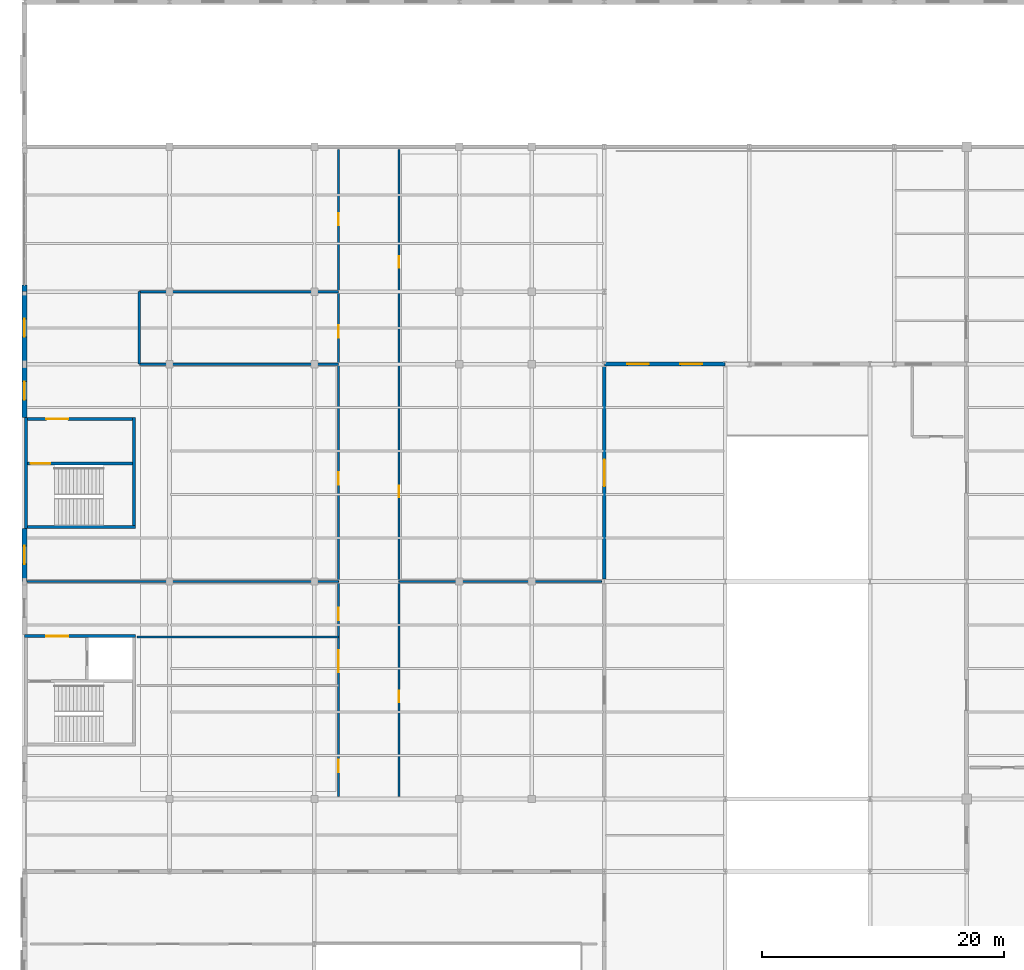
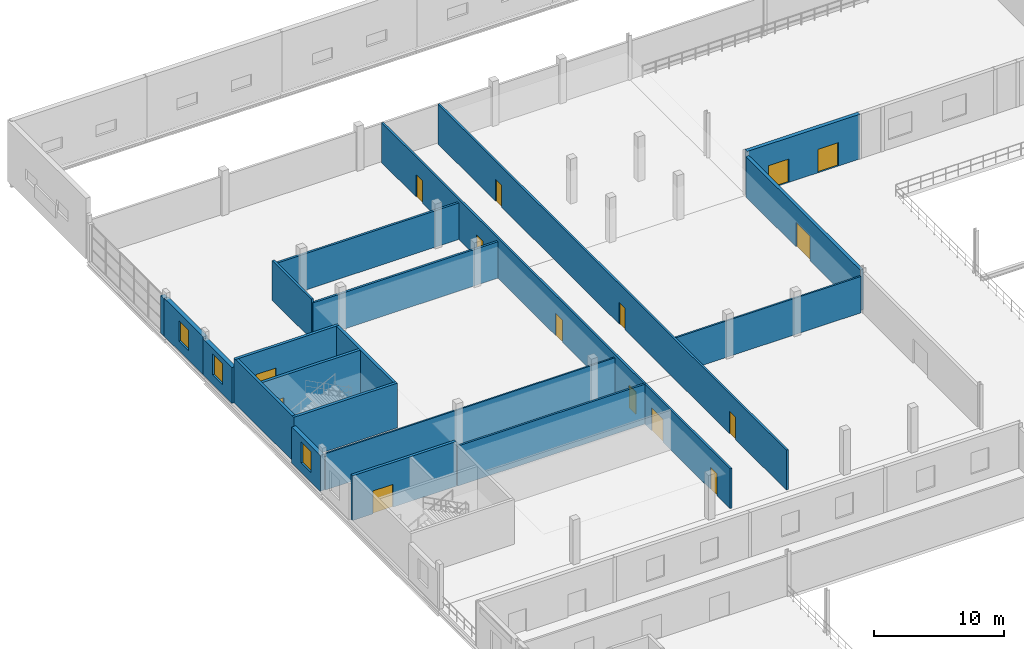
# One storey, part 134 of 147: 20 walls, 15 doors, 3 windows, 18 openings.
"""IFC4 building model written with IfcOpenShell, lengths in metres."""

import ifcopenshell
import ifcopenshell.guid

model = None  # the IFC model being written
_history = None  # IfcOwnerHistory: only IFC2X3 demands one
_inside = {}  # id of a spatial element -> (the spatial element, [elements in it])
_under = {}  # id of a project, library or spatial element -> (it, [spatial elements below it])
_declared = {}  # id of a project -> (the project, [libraries it declares])
_typed = {}  # id of a type object -> (the type object, [elements of that type])
_made_of = {}  # id of a material, layer set ... -> (it, [elements and type objects made of it])


def new_model(schema):
    """Start an empty IFC model of exactly this schema.

    Asked for "IFC4X3", IfcOpenShell would pick the latest addendum, in which some entities
    have other attributes; the version numbers below select the first issue.
    IFC2X3 requires an IfcOwnerHistory on every rooted entity: one is made here for all.
    """
    global model, _history
    if schema == "IFC4X3":
        model = ifcopenshell.file(schema_version=(4, 3, 0, 0))
    else:
        model = ifcopenshell.file(schema=schema)
    _inside.clear()
    _under.clear()
    _declared.clear()
    _typed.clear()
    _made_of.clear()
    _history = None
    if model.schema == "IFC2X3":
        org = make("IfcOrganization", Name="unknown")
        user = make(
            "IfcPersonAndOrganization",
            ThePerson=make("IfcPerson", FamilyName="unknown"),
            TheOrganization=org,
        )
        app = make(
            "IfcApplication",
            ApplicationDeveloper=org,
            Version="unknown",
            ApplicationFullName="unknown",
            ApplicationIdentifier="unknown",
        )
        _history = make(
            "IfcOwnerHistory",
            OwningUser=user,
            OwningApplication=app,
            ChangeAction="ADDED",
            CreationDate=0,
        )
    return model


def make(cls, **values):
    """One entity of the class cls with the attributes given. An attribute that is None is left unset."""
    return model.create_entity(
        cls, **{name: value for name, value in values.items() if value is not None}
    )


def rooted(cls, **values):
    """An entity with a GlobalId (a new one), such as an element, a storey or a relation."""
    return make(cls, GlobalId=ifcopenshell.guid.new(), OwnerHistory=_history, **values)


def si_unit(unit_type, name, prefix=None):
    """IfcSIUnit, for example si_unit("LENGTHUNIT", "METRE", prefix="MILLI")."""
    return make("IfcSIUnit", UnitType=unit_type, Prefix=prefix, Name=name)


def assignment(units):
    """IfcUnitAssignment: the units of a project."""
    return None if units is None else make("IfcUnitAssignment", Units=units)


def point(xyz):
    """IfcCartesianPoint."""
    return None if xyz is None else make("IfcCartesianPoint", Coordinates=xyz)


def direction(xyz):
    """IfcDirection."""
    return None if xyz is None else make("IfcDirection", DirectionRatios=xyz)


def frame(location, z_axis=None, x_axis=None):
    """IfcAxis2Placement3D, a coordinate frame: its origin and axes. An axis left out is left unset."""
    return make(
        "IfcAxis2Placement3D",
        Location=point(location),
        Axis=direction(z_axis),
        RefDirection=direction(x_axis),
    )


def frame_2d(location, x_axis=None):
    """IfcAxis2Placement2D, a coordinate frame in the plane: its origin and x axis."""
    return make(
        "IfcAxis2Placement2D", Location=point(location), RefDirection=direction(x_axis)
    )


def origin():
    """The frame at (0, 0, 0) with its axes left unset."""
    return frame((0.0, 0.0, 0.0))


def place(relative_to, where):
    """IfcLocalPlacement: puts the frame where relative to a parent placement (None: the world)."""
    return make(
        "IfcLocalPlacement", PlacementRelTo=relative_to, RelativePlacement=where
    )


def context(
    kind, dimensions, precision=None, world=None, true_north=None, identifier=None
):
    """IfcGeometricRepresentationContext, for example the 3D "Model" context."""
    return make(
        "IfcGeometricRepresentationContext",
        ContextIdentifier=identifier,
        ContextType=kind,
        CoordinateSpaceDimension=dimensions,
        Precision=precision,
        WorldCoordinateSystem=world,
        TrueNorth=true_north,
    )


def subcontext(parent, identifier, kind, view, scale=None):
    """IfcGeometricRepresentationSubContext, for example "Body" below "Model"."""
    return make(
        "IfcGeometricRepresentationSubContext",
        ContextIdentifier=identifier,
        ContextType=kind,
        ParentContext=parent,
        TargetScale=scale,
        TargetView=view,
    )


def project(units=None, contexts=None):
    """IfcProject with its units and contexts."""
    return rooted(
        "IfcProject",
        Name="project",
        RepresentationContexts=contexts,
        UnitsInContext=assignment(units),
    )


def spatial(cls, under=None, at=None, **own):
    """A site, building, storey or space (cls), placed at a placement, below another one or the project."""
    s = rooted(cls, ObjectPlacement=at, **own)
    if under is not None:
        _under.setdefault(under.id(), (under, []))[1].append(s)
    return s


def profile(cls, at=None, kind="AREA", **sizes):
    """A parametric profile (cls). Its sizes go by their IFC names, for example OverallWidth=200.0."""
    return make(cls, ProfileType=kind, Position=at, **sizes)


def rectangle(**sizes):
    """IfcRectangleProfileDef."""
    return profile("IfcRectangleProfileDef", **sizes)


def extrude(swept, where, along, depth):
    """IfcExtrudedAreaSolid: the profile swept, set in the frame where, extruded along a direction by depth."""
    return make(
        "IfcExtrudedAreaSolid",
        SweptArea=swept,
        Position=where,
        ExtrudedDirection=direction(along),
        Depth=depth,
    )


def shape(context_of_items, identifier, shape_type, items):
    """IfcShapeRepresentation: the items that make up one representation, for example the "Body"."""
    return make(
        "IfcShapeRepresentation",
        ContextOfItems=context_of_items,
        RepresentationIdentifier=identifier,
        RepresentationType=shape_type,
        Items=items,
    )


def material(Name=None, Category=None):
    """IfcMaterial."""
    return make("IfcMaterial", Name=Name, Category=Category)


def layer(
    of_material, thickness, ventilated=None, Name=None, Category=None, Priority=None
):
    """IfcMaterialLayer: one layer of a wall or slab, of a material (None: an air gap)."""
    return make(
        "IfcMaterialLayer",
        Material=of_material,
        LayerThickness=thickness,
        IsVentilated=ventilated,
        Name=Name,
        Category=Category,
        Priority=Priority,
    )


def layer_set(layers, Name=None):
    """IfcMaterialLayerSet."""
    return make("IfcMaterialLayerSet", MaterialLayers=layers, LayerSetName=Name)


def made_of(thing, what):
    """Note that an element or type object is made of a material, layer set ...; save() writes the relation."""
    if what is not None:
        _made_of.setdefault(what.id(), (what, []))[1].append(thing)
    return thing


def type_object(cls, material=None, **own):
    """A type object (cls), such as IfcWallType, which elements share."""
    return made_of(rooted(cls, **own), material)


def element(
    cls,
    number,
    at=None,
    inside=None,
    cuts=None,
    type_object=None,
    material=None,
    context=None,
    identifier="Body",
    shape_type=None,
    held_by="IfcProductDefinitionShape",
    body=None,
    shapes=None,
    **own,
):
    """One element of the class cls, such as IfcWall. Its Tag is "e" and its number.

    at: its placement. inside: the storey or other place that contains it. cuts: it is an
    opening in that element (IfcRelVoidsElement). A single representation is given by context,
    identifier, shape_type and body (its items); several are given by shapes. held_by: the class
    of the entity that holds the representations. save() writes the other relations.
    """
    e = rooted(cls, Tag="e%d" % number, ObjectPlacement=at, **own)
    if body is not None:
        shapes = [shape(context, identifier, shape_type, body)]
    if shapes is not None:
        e.Representation = make(held_by, Representations=shapes)
    if inside is not None:
        _inside.setdefault(inside.id(), (inside, []))[1].append(e)
    if cuts is not None:
        rooted(
            "IfcRelVoidsElement", RelatingBuildingElement=cuts, RelatedOpeningElement=e
        )
    if type_object is not None:
        _typed.setdefault(type_object.id(), (type_object, []))[1].append(e)
    return made_of(e, material)


def fill(opening, filler):
    """IfcRelFillsElement: the door or window that sits in an opening."""
    return rooted(
        "IfcRelFillsElement",
        RelatingOpeningElement=opening,
        RelatedBuildingElement=filler,
    )


def aggregate(whole, parts):
    """IfcRelAggregates: a whole, such as a stair, and the parts it consists of."""
    return rooted("IfcRelAggregates", RelatingObject=whole, RelatedObjects=parts)


def save(model, path):
    """Write the relations noted so far, then the file.

    IfcRelAggregates (storeys below a building ...), IfcRelContainedInSpatialStructure (elements
    in a storey), IfcRelDefinesByType, IfcRelAssociatesMaterial and IfcRelDeclares: one each for
    every whole, place, type object, material and project.
    """
    for whole, parts in _under.values():
        aggregate(whole, parts)
    for where, things in _inside.values():
        rooted(
            "IfcRelContainedInSpatialStructure",
            RelatedElements=things,
            RelatingStructure=where,
        )
    for kind, things in _typed.values():
        rooted("IfcRelDefinesByType", RelatedObjects=things, RelatingType=kind)
    for what, things in _made_of.values():
        rooted("IfcRelAssociatesMaterial", RelatedObjects=things, RelatingMaterial=what)
    for by, libraries in _declared.values():
        rooted("IfcRelDeclares", RelatingContext=by, RelatedDefinitions=libraries)
    model.write(path)


model = new_model("IFC4")

# Units and contexts
model_context = context("Model", 3, precision=1e-05, world=origin(), true_north=direction((0.0, 1.0)))
body_context = subcontext(model_context, "Body", "Model", "MODEL_VIEW")
ifc_project = project(units=[si_unit("LENGTHUNIT", "METRE"), si_unit("AREAUNIT", "SQUARE_METRE"), si_unit("VOLUMEUNIT", "CUBIC_METRE"), si_unit("PLANEANGLEUNIT", "RADIAN"), si_unit("MASSUNIT", "GRAM", prefix="KILO")], contexts=[model_context])

# Site, building, storey
site_placement = place(None, origin())
site = spatial("IfcSite", under=ifc_project, at=site_placement, CompositionType="ELEMENT")
building_placement = place(site_placement, origin())
building = spatial("IfcBuilding", under=site, at=building_placement, Name="Zilviju Railside Exhibition Hall", CompositionType="ELEMENT")
storey_placement = place(building_placement, frame((0.0, 0.0, 8.39990234375)))
storey = spatial("IfcBuildingStorey", under=building, at=storey_placement, Name="L03", CompositionType="ELEMENT", Elevation=8.39990234375)

# Wall, opening, door
ifc_material_1 = material(Name="Concrete C35/45", Category="concrete")
ifc_layer_1 = layer(ifc_material_1, 0.280029296875)
ifc_layer_set_1 = layer_set([ifc_layer_1], Name="Concrete C35/45")
wall_type_1 = type_object("IfcWallType", Name="WL-COMP-280", PredefinedType="SHEAR", material=ifc_layer_set_1)
wall_1_placement = place(storey_placement, frame((48.0, 102.201904296875, 0.0), z_axis=(0.0, 0.0, 1.0), x_axis=(0.0, 1.0, 0.0)))
wall_1 = element("IfcWall", 1, at=wall_1_placement, inside=storey, type_object=wall_type_1, Name="REI 180 Congress-Concourse Compartment Wall L03", PredefinedType="SHEAR", context=body_context, shape_type="SweptSolid", body=[
    extrude(rectangle(XDim=17.59619140625, YDim=0.280029296875, at=frame_2d((8.798095703125, 0.0))), origin(), (0.0, 0.0, 1.0), 3.800048828125),
])
opening_1_placement = place(wall_1_placement, frame((7.697998046875, 0.0, 0.0)))
opening_1 = element("IfcOpeningElement", 2, at=opening_1_placement, cuts=wall_1, Name="Opening FD-03", PredefinedType="OPENING", context=body_context, shape_type="SweptSolid", body=[
    extrude(rectangle(XDim=2.199951171875, YDim=2.300048828125, at=frame_2d((1.10009765625, 1.14990234375))), frame((0.0, 0.14990234375, 0.0), z_axis=(0.0, -1.0, 0.0), x_axis=(1.0, 0.0, 0.0)), (0.0, 0.0, 1.0), 0.300048828125),
])
ifc_material_2 = material(Name="Hold-open double compartment fire door EI 60", Category="wood")
door_type_1 = type_object("IfcDoorType", Name="DR-COMP-220x230", OperationType="NOTDEFINED", PredefinedType="DOOR", material=ifc_material_2)
door_1_placement = place(opening_1_placement, origin())
door_1 = element("IfcDoor", 3, at=door_1_placement, inside=storey, type_object=door_type_1, Name="Congress Link Fire Door L03", OperationType="DOUBLE_DOOR_SINGLE_SWING", OverallHeight=2.300048828125, OverallWidth=2.199951171875, PredefinedType="DOOR", context=body_context, shape_type="SweptSolid", body=[
    extrude(rectangle(XDim=2.199951171875, YDim=2.300048828125, at=frame_2d((1.10009765625, 1.14990234375))), frame((0.0, 0.02490234375, 0.0), z_axis=(0.0, -1.0, 0.0), x_axis=(1.0, 0.0, 0.0)), (0.0, 0.0, 1.0), 0.050048828125),
])
fill(opening_1, door_1)

ifc_layer_2 = layer(ifc_material_1, 0.25)
ifc_layer_set_2 = layer_set([ifc_layer_2], Name="Concrete C35/45")
wall_type_2 = type_object("IfcWallType", Name="WL-CORE-250", PredefinedType="SHEAR", material=ifc_layer_set_2)
wall_2_placement = place(storey_placement, frame((0.0, 97.47509765625, 0.0), z_axis=(0.0, 0.0, 1.0), x_axis=(1.0, 0.0, 0.0)))
wall_2 = element("IfcWall", 4, at=wall_2_placement, inside=storey, type_object=wall_type_2, Name="Core C15 Organisers Wing South Lobby Side Wall L03", PredefinedType="SHEAR", context=body_context, shape_type="SweptSolid", body=[
    extrude(rectangle(XDim=9.199951171875, YDim=0.25, at=frame_2d((4.60009765625, 0.0))), origin(), (0.0, 0.0, 1.0), 4.2001953125),
])
opening_2_placement = place(wall_2_placement, frame((1.800048828125, 0.0, 0.0)))
opening_2 = element("IfcOpeningElement", 5, at=opening_2_placement, cuts=wall_2, Name="Opening FD-02", PredefinedType="OPENING", context=body_context, shape_type="SweptSolid", body=[
    extrude(rectangle(XDim=1.800048828125, YDim=2.14990234375, at=frame_2d((0.89990234375, 1.074951171875))), frame((0.0, 0.135009765625, 0.0), z_axis=(0.0, -1.0, 0.0), x_axis=(1.0, 0.0, 0.0)), (0.0, 0.0, 1.0), 0.27001953125),
])
ifc_material_3 = material(Name="Self-closing glazed steel core lobby fire door EI 60", Category="steel")
door_type_2 = type_object("IfcDoorType", Name="DR-LOBBY-180x215", OperationType="NOTDEFINED", PredefinedType="DOOR", material=ifc_material_3)
door_2_placement = place(opening_2_placement, origin())
door_2 = element("IfcDoor", 6, at=door_2_placement, inside=storey, type_object=door_type_2, Name="Core C15 Organisers Wing South Lobby Fire Door L03", OperationType="DOUBLE_DOOR_SINGLE_SWING", OverallHeight=2.14990234375, OverallWidth=1.800048828125, PredefinedType="DOOR", context=body_context, shape_type="SweptSolid", body=[
    extrude(rectangle(XDim=1.800048828125, YDim=2.14990234375, at=frame_2d((0.89990234375, 1.074951171875))), frame((0.0, 0.02490234375, 0.0), z_axis=(0.0, -1.0, 0.0), x_axis=(1.0, 0.0, 0.0)), (0.0, 0.0, 1.0), 0.050048828125),
])
fill(opening_2, door_2)

# Walls
wall_3_placement = place(storey_placement, frame((0.0, 106.52490234375, 0.0), z_axis=(0.0, 0.0, 1.0), x_axis=(1.0, 0.0, 0.0)))
element("IfcWall", 7, at=wall_3_placement, inside=storey, type_object=wall_type_2, Name="Core C16 Organisers Wing North Stairwell Outer Wall L03", PredefinedType="SHEAR", context=body_context, shape_type="SweptSolid", body=[
    extrude(rectangle(XDim=9.199951171875, YDim=0.25, at=frame_2d((4.60009765625, 0.0))), origin(), (0.0, 0.0, 1.0), 4.2001953125),
])
wall_4_placement = place(storey_placement, frame((9.074951171875, 106.39990234375, 0.0), z_axis=(0.0, 0.0, 1.0), x_axis=(0.0, 1.0, 0.0)))
element("IfcWall", 8, at=wall_4_placement, inside=storey, type_object=wall_type_2, Name="Core C16 Organisers Wing North Core Rear Wall L03", PredefinedType="SHEAR", context=body_context, shape_type="SweptSolid", body=[
    extrude(rectangle(XDim=9.2001953125, YDim=0.25, at=frame_2d((4.60009765625, 0.0))), origin(), (0.0, 0.0, 1.0), 4.2001953125),
])

# Wall, opening, door
wall_5_placement = place(storey_placement, frame((0.0, 115.47509765625, 0.0), z_axis=(0.0, 0.0, 1.0), x_axis=(1.0, 0.0, 0.0)))
wall_5 = element("IfcWall", 9, at=wall_5_placement, inside=storey, type_object=wall_type_2, Name="Core C16 Organisers Wing North Lobby Side Wall L03", PredefinedType="SHEAR", context=body_context, shape_type="SweptSolid", body=[
    extrude(rectangle(XDim=9.199951171875, YDim=0.25, at=frame_2d((4.60009765625, 0.0))), origin(), (0.0, 0.0, 1.0), 4.2001953125),
])
opening_3_placement = place(wall_5_placement, frame((1.800048828125, 0.0, 0.0)))
opening_3 = element("IfcOpeningElement", 10, at=opening_3_placement, cuts=wall_5, Name="Opening FD-02", PredefinedType="OPENING", context=body_context, shape_type="SweptSolid", body=[
    extrude(rectangle(XDim=1.800048828125, YDim=2.14990234375, at=frame_2d((0.89990234375, 1.074951171875))), frame((0.0, 0.135009765625, 0.0), z_axis=(0.0, -1.0, 0.0), x_axis=(1.0, 0.0, 0.0)), (0.0, 0.0, 1.0), 0.27001953125),
])
door_3_placement = place(opening_3_placement, origin())
door_3 = element("IfcDoor", 11, at=door_3_placement, inside=storey, type_object=door_type_2, Name="Core C16 Organisers Wing North Lobby Fire Door L03", OperationType="DOUBLE_DOOR_SINGLE_SWING", OverallHeight=2.14990234375, OverallWidth=1.800048828125, PredefinedType="DOOR", context=body_context, shape_type="SweptSolid", body=[
    extrude(rectangle(XDim=1.800048828125, YDim=2.14990234375, at=frame_2d((0.89990234375, 1.074951171875))), frame((0.0, 0.02490234375, 0.0), z_axis=(0.0, -1.0, 0.0), x_axis=(1.0, 0.0, 0.0)), (0.0, 0.0, 1.0), 0.050048828125),
])
fill(opening_3, door_3)

wall_6_placement = place(storey_placement, frame((0.25, 111.77490234375, 0.0), z_axis=(0.0, 0.0, 1.0), x_axis=(1.0, 0.0, 0.0)))
wall_6 = element("IfcWall", 12, at=wall_6_placement, inside=storey, type_object=wall_type_2, Name="Core C16 Organisers Wing North Stairwell Partition Wall L03", PredefinedType="SHEAR", context=body_context, shape_type="SweptSolid", body=[
    extrude(rectangle(XDim=8.699951171875, YDim=0.25, at=frame_2d((4.35009765625, 0.0))), origin(), (0.0, 0.0, 1.0), 4.2001953125),
])
opening_4_placement = place(wall_6_placement, frame((0.25, 0.0, 0.0)))
opening_4 = element("IfcOpeningElement", 13, at=opening_4_placement, cuts=wall_6, Name="Opening FD-01", PredefinedType="OPENING", context=body_context, shape_type="SweptSolid", body=[
    extrude(rectangle(XDim=1.64990234375, YDim=2.10009765625, at=frame_2d((0.824951171875, 1.050048828125))), frame((0.0, 0.135009765625, 0.0), z_axis=(0.0, -1.0, 0.0), x_axis=(1.0, 0.0, 0.0)), (0.0, 0.0, 1.0), 0.27001953125),
])
ifc_material_4 = material(Name="Self-closing steel stair enclosure fire door EI 60", Category="steel")
door_type_3 = type_object("IfcDoorType", Name="DR-STAIR-165x210", OperationType="NOTDEFINED", PredefinedType="DOOR", material=ifc_material_4)
door_4_placement = place(opening_4_placement, origin())
door_4 = element("IfcDoor", 14, at=door_4_placement, inside=storey, type_object=door_type_3, Name="Core C16 Organisers Wing North Protected Stair Door L03", OperationType="SINGLE_SWING_RIGHT", OverallHeight=2.10009765625, OverallWidth=1.64990234375, PredefinedType="DOOR", context=body_context, shape_type="SweptSolid", body=[
    extrude(rectangle(XDim=1.64990234375, YDim=2.10009765625, at=frame_2d((0.824951171875, 1.050048828125))), frame((0.0, 0.02490234375, 0.0), z_axis=(0.0, -1.0, 0.0), x_axis=(1.0, 0.0, 0.0)), (0.0, 0.0, 1.0), 0.050048828125),
])
fill(opening_4, door_4)

# Wall
ifc_material_5 = material(Name="Concrete C40/50", Category="concrete")
ifc_layer_3 = layer(ifc_material_5, 0.25)
ifc_layer_set_3 = layer_set([ifc_layer_3], Name="Concrete C40/50")
wall_type_3 = type_object("IfcWallType", Name="WL-CORE-300", PredefinedType="SHEAR", material=ifc_layer_set_3)
wall_7_placement = place(storey_placement, frame((0.125, 106.39990234375, 0.0), z_axis=(0.0, 0.0, 1.0), x_axis=(0.0, 1.0, 0.0)))
element("IfcWall", 15, at=wall_7_placement, inside=storey, type_object=wall_type_3, Name="Core C16 Organisers Wing North Exterior Core Wall L03", PredefinedType="SHEAR", context=body_context, shape_type="SweptSolid", body=[
    extrude(rectangle(XDim=9.2001953125, YDim=0.25, at=frame_2d((4.60009765625, 0.0))), origin(), (0.0, 0.0, 1.0), 4.2001953125),
])

# Wall, openings, doors
ifc_material_6 = material(Name="Insulated terrace foyer masonry wall", Category="masonry")
ifc_layer_4 = layer(ifc_material_6, 0.340087890625)
ifc_layer_set_4 = layer_set([ifc_layer_4], Name="Insulated terrace foyer masonry wall")
wall_type_4 = type_object("IfcWallType", Name="WL-EXT-340", PredefinedType="SOLIDWALL", material=ifc_layer_set_4)
wall_8_placement = place(storey_placement, frame((48.0, 120.0, 0.0), z_axis=(0.0, 0.0, 1.0), x_axis=(1.0, 0.0, 0.0)))
wall_8 = element("IfcWall", 16, at=wall_8_placement, inside=storey, type_object=wall_type_4, Name="Exterior Facade Wall L03 North 0411", PredefinedType="SOLIDWALL", context=body_context, shape_type="SweptSolid", body=[
    extrude(rectangle(XDim=10.0, YDim=0.340087890625, at=frame_2d((5.0, 0.0))), origin(), (0.0, 0.0, 1.0), 4.2001953125),
])
opening_5_placement = place(wall_8_placement, frame((1.89990234375, 0.0, 0.0)))
opening_5 = element("IfcOpeningElement", 17, at=opening_5_placement, cuts=wall_8, Name="Opening TD-01", PredefinedType="OPENING", context=body_context, shape_type="SweptSolid", body=[
    extrude(rectangle(XDim=1.800048828125, YDim=2.199951171875, at=frame_2d((0.89990234375, 1.10009765625))), frame((0.0, 0.179931640625, 0.0), z_axis=(0.0, -1.0, 0.0), x_axis=(1.0, 0.0, 0.0)), (0.0, 0.0, 1.0), 0.360107421875),
])
opening_6_placement = place(wall_8_placement, frame((6.300048828125, 0.0, 0.0)))
opening_6 = element("IfcOpeningElement", 18, at=opening_6_placement, cuts=wall_8, Name="Opening TD-01", PredefinedType="OPENING", context=body_context, shape_type="SweptSolid", body=[
    extrude(rectangle(XDim=1.800048828125, YDim=2.199951171875, at=frame_2d((0.89990234375, 1.10009765625))), frame((0.0, 0.179931640625, 0.0), z_axis=(0.0, -1.0, 0.0), x_axis=(1.0, 0.0, 0.0)), (0.0, 0.0, 1.0), 0.360107421875),
])
ifc_material_7 = material(Name="Triple-glazed roof-garden terrace double door", Category="steel")
door_type_4 = type_object("IfcDoorType", Name="DR-EXT-TERR-180x220", OperationType="NOTDEFINED", PredefinedType="DOOR", material=ifc_material_7)
door_5_placement = place(opening_5_placement, origin())
door_5 = element("IfcDoor", 19, at=door_5_placement, inside=storey, type_object=door_type_4, Name="North Concourse Roof Garden Terrace Door TD-V3-N", OperationType="DOUBLE_DOOR_SINGLE_SWING", OverallHeight=2.199951171875, OverallWidth=1.800048828125, PredefinedType="DOOR", context=body_context, shape_type="SweptSolid", body=[
    extrude(rectangle(XDim=1.800048828125, YDim=2.199951171875, at=frame_2d((0.89990234375, 1.10009765625))), frame((0.0, 0.02490234375, 0.0), z_axis=(0.0, -1.0, 0.0), x_axis=(1.0, 0.0, 0.0)), (0.0, 0.0, 1.0), 0.050048828125),
])
fill(opening_5, door_5)
door_6_placement = place(opening_6_placement, origin())
door_6 = element("IfcDoor", 20, at=door_6_placement, inside=storey, type_object=door_type_4, Name="North Concourse Roof Garden Terrace Door TD-V3-N", OperationType="DOUBLE_DOOR_SINGLE_SWING", OverallHeight=2.199951171875, OverallWidth=1.800048828125, PredefinedType="DOOR", context=body_context, shape_type="SweptSolid", body=[
    extrude(rectangle(XDim=1.800048828125, YDim=2.199951171875, at=frame_2d((0.89990234375, 1.10009765625))), frame((0.0, 0.02490234375, 0.0), z_axis=(0.0, -1.0, 0.0), x_axis=(1.0, 0.0, 0.0)), (0.0, 0.0, 1.0), 0.050048828125),
])
fill(opening_6, door_6)

# Wall, opening, window
ifc_material_8 = material(Name="Insulated cream-brick upper facade wall", Category="masonry")
ifc_layer_5 = layer(ifc_material_8, 0.3798828125)
ifc_layer_set_5 = layer_set([ifc_layer_5], Name="Insulated cream-brick upper facade wall")
wall_type_5 = type_object("IfcWallType", Name="WL-EXT-380", PredefinedType="SOLIDWALL", material=ifc_layer_set_5)
wall_9_placement = place(storey_placement, frame((0.0, 102.0, 0.0), z_axis=(0.0, 0.0, 1.0), x_axis=(0.0, 1.0, 0.0)))
wall_9 = element("IfcWall", 21, at=wall_9_placement, inside=storey, type_object=wall_type_5, Name="Exterior Facade Wall L03 West 0481", PredefinedType="SOLIDWALL", context=body_context, shape_type="SweptSolid", body=[
    extrude(rectangle(XDim=4.39990234375, YDim=0.3798828125, at=frame_2d((2.199951171875, 0.0))), origin(), (0.0, 0.0, 1.0), 3.360107421875),
])
opening_7_placement = place(wall_9_placement, frame((1.449951171875, 0.0, 0.89990234375)))
opening_7 = element("IfcOpeningElement", 22, at=opening_7_placement, cuts=wall_9, Name="Opening WN-08", PredefinedType="OPENING", context=body_context, shape_type="SweptSolid", body=[
    extrude(rectangle(XDim=1.5, YDim=1.949951171875, at=frame_2d((0.75, 0.97509765625))), frame((0.0, 0.199951171875, 0.0), z_axis=(0.0, -1.0, 0.0), x_axis=(1.0, 0.0, 0.0)), (0.0, 0.0, 1.0), 0.39990234375),
])
ifc_material_9 = material(Name="Triple-glazed timber-aluminium window unit", Category="wood")
window_type = type_object("IfcWindowType", Name="WIN-ERK-150x195", PartitioningType="DOUBLE_PANEL_VERTICAL", PredefinedType="WINDOW", material=ifc_material_9)
window_1_placement = place(opening_7_placement, origin())
window_1 = element("IfcWindow", 23, at=window_1_placement, inside=storey, type_object=window_type, Name="Facade Window L03 WN-0050", OverallHeight=1.949951171875, OverallWidth=1.5, PartitioningType="SINGLE_PANEL", PredefinedType="WINDOW", context=body_context, shape_type="SweptSolid", body=[
    extrude(rectangle(XDim=1.5, YDim=1.949951171875, at=frame_2d((0.75, 0.97509765625))), frame((0.0, 0.030029296875, 0.0), z_axis=(0.0, -1.0, 0.0), x_axis=(1.0, 0.0, 0.0)), (0.0, 0.0, 1.0), 0.06005859375),
])
fill(opening_7, window_1)

wall_10_placement = place(storey_placement, frame((0.0, 115.60009765625, 0.0), z_axis=(0.0, 0.0, 1.0), x_axis=(0.0, 1.0, 0.0)))
wall_10 = element("IfcWall", 24, at=wall_10_placement, inside=storey, type_object=wall_type_5, Name="Exterior Facade Wall L03 West 0482", PredefinedType="SOLIDWALL", context=body_context, shape_type="SweptSolid", body=[
    extrude(rectangle(XDim=4.39990234375, YDim=0.3798828125, at=frame_2d((2.199951171875, 0.0))), origin(), (0.0, 0.0, 1.0), 3.360107421875),
])
opening_8_placement = place(wall_10_placement, frame((1.449951171875, 0.0, 0.89990234375)))
opening_8 = element("IfcOpeningElement", 25, at=opening_8_placement, cuts=wall_10, Name="Opening WN-08", PredefinedType="OPENING", context=body_context, shape_type="SweptSolid", body=[
    extrude(rectangle(XDim=1.5, YDim=1.949951171875, at=frame_2d((0.75, 0.97509765625))), frame((0.0, 0.199951171875, 0.0), z_axis=(0.0, -1.0, 0.0), x_axis=(1.0, 0.0, 0.0)), (0.0, 0.0, 1.0), 0.39990234375),
])
window_2_placement = place(opening_8_placement, origin())
window_2 = element("IfcWindow", 26, at=window_2_placement, inside=storey, type_object=window_type, Name="Facade Window L03 WN-0051", OverallHeight=1.949951171875, OverallWidth=1.5, PartitioningType="SINGLE_PANEL", PredefinedType="WINDOW", context=body_context, shape_type="SweptSolid", body=[
    extrude(rectangle(XDim=1.5, YDim=1.949951171875, at=frame_2d((0.75, 0.97509765625))), frame((0.0, 0.030029296875, 0.0), z_axis=(0.0, -1.0, 0.0), x_axis=(1.0, 0.0, 0.0)), (0.0, 0.0, 1.0), 0.06005859375),
])
fill(opening_8, window_2)

wall_11_placement = place(storey_placement, frame((0.0, 120.0, 0.0), z_axis=(0.0, 0.0, 1.0), x_axis=(0.0, 1.0, 0.0)))
wall_11 = element("IfcWall", 27, at=wall_11_placement, inside=storey, type_object=wall_type_5, Name="Exterior Facade Wall L03 West 0483", PredefinedType="SOLIDWALL", context=body_context, shape_type="SweptSolid", body=[
    extrude(rectangle(XDim=6.0, YDim=0.3798828125, at=frame_2d((3.0, 0.0))), origin(), (0.0, 0.0, 1.0), 3.570068359375),
])
opening_9_placement = place(wall_11_placement, frame((2.25, 0.0, 0.89990234375)))
opening_9 = element("IfcOpeningElement", 28, at=opening_9_placement, cuts=wall_11, Name="Opening WN-08", PredefinedType="OPENING", context=body_context, shape_type="SweptSolid", body=[
    extrude(rectangle(XDim=1.5, YDim=1.949951171875, at=frame_2d((0.75, 0.97509765625))), frame((0.0, 0.199951171875, 0.0), z_axis=(0.0, -1.0, 0.0), x_axis=(1.0, 0.0, 0.0)), (0.0, 0.0, 1.0), 0.39990234375),
])
window_3_placement = place(opening_9_placement, origin())
window_3 = element("IfcWindow", 29, at=window_3_placement, inside=storey, type_object=window_type, Name="Facade Window L03 WN-0052", OverallHeight=1.949951171875, OverallWidth=1.5, PartitioningType="SINGLE_PANEL", PredefinedType="WINDOW", context=body_context, shape_type="SweptSolid", body=[
    extrude(rectangle(XDim=1.5, YDim=1.949951171875, at=frame_2d((0.75, 0.97509765625))), frame((0.0, 0.030029296875, 0.0), z_axis=(0.0, -1.0, 0.0), x_axis=(1.0, 0.0, 0.0)), (0.0, 0.0, 1.0), 0.06005859375),
])
fill(opening_9, window_3)

# Walls
wall_12_placement = place(storey_placement, frame((0.0, 126.001953125, 0.0), z_axis=(0.0, 0.0, 1.0), x_axis=(0.0, 1.0, 0.0)))
element("IfcWall", 30, at=wall_12_placement, inside=storey, type_object=wall_type_5, Name="Curtain-Wall Jamb Closure Pier L03 0484", PredefinedType="SOLIDWALL", context=body_context, shape_type="SweptSolid", body=[
    extrude(rectangle(XDim=0.548095703125, YDim=0.3798828125, at=frame_2d((0.27392578125, 0.0))), origin(), (0.0, 0.0, 1.0), 3.5),
])
ifc_material_10 = material(Name="Light office acoustic partition wall", Category="masonry")
ifc_layer_6 = layer(ifc_material_10, 0.135009765625)
ifc_layer_set_6 = layer_set([ifc_layer_6], Name="Light office acoustic partition wall")
wall_type_6 = type_object("IfcWallType", Name="WL-PART-135", PredefinedType="PARTITIONING", material=ifc_layer_set_6)
wall_13_placement = place(storey_placement, frame((0.219970703125, 102.0, 0.0), z_axis=(0.0, 0.0, 1.0), x_axis=(1.0, 0.0, 0.0)))
element("IfcWall", 31, at=wall_13_placement, inside=storey, type_object=wall_type_6, Name="Wing West Cross Wall L03 Y=102", PredefinedType="PARTITIONING", context=body_context, shape_type="SweptSolid", body=[
    extrude(rectangle(XDim=25.780029296875, YDim=0.135009765625, at=frame_2d((12.89013671875, 0.0))), origin(), (0.0, 0.0, 1.0), 3.420166015625),
])
ifc_material_11 = material(Name="Insulated gypsum room partition wall", Category="masonry")
ifc_layer_7 = layer(ifc_material_11, 0.14990234375)
ifc_layer_set_7 = layer_set([ifc_layer_7], Name="Insulated gypsum room partition wall")
wall_type_7 = type_object("IfcWallType", Name="WL-PART-150", PredefinedType="PARTITIONING", material=ifc_layer_set_7)
wall_14_placement = place(storey_placement, frame((31.0, 102.0, 0.0), z_axis=(0.0, 0.0, 1.0), x_axis=(1.0, 0.0, 0.0)))
element("IfcWall", 32, at=wall_14_placement, inside=storey, type_object=wall_type_7, Name="Wing East Cross Wall L03 Y=102", PredefinedType="PARTITIONING", context=body_context, shape_type="SweptSolid", body=[
    extrude(rectangle(XDim=16.780029296875, YDim=0.14990234375, at=frame_2d((8.39013671875, 0.0))), origin(), (0.0, 0.0, 1.0), 3.420166015625),
])

# Wall, openings, doors
ifc_material_12 = material(Name="Acoustic conference partition wall", Category="masonry")
ifc_layer_8 = layer(ifc_material_12, 0.175048828125)
ifc_layer_set_8 = layer_set([ifc_layer_8], Name="Acoustic conference partition wall")
wall_type_8 = type_object("IfcWallType", Name="WL-PART-175", PredefinedType="PARTITIONING", material=ifc_layer_set_8)
wall_15_placement = place(storey_placement, frame((26.0, 84.219970703125, 0.0), z_axis=(0.0, 0.0, 1.0), x_axis=(0.0, 1.0, 0.0)))
wall_15 = element("IfcWall", 33, at=wall_15_placement, inside=storey, type_object=wall_type_8, Name="Wing West Corridor Wall L03", PredefinedType="PARTITIONING", context=body_context, shape_type="SweptSolid", body=[
    extrude(rectangle(XDim=53.56005859375, YDim=0.175048828125, at=frame_2d((26.780029296875, 0.0))), origin(), (0.0, 0.0, 1.0), 3.75),
])
opening_10_placement = place(wall_15_placement, frame((1.97998046875, 0.0, 0.0)))
opening_10 = element("IfcOpeningElement", 34, at=opening_10_placement, cuts=wall_15, Name="Opening ID-02", PredefinedType="OPENING", context=body_context, shape_type="SweptSolid", body=[
    extrude(rectangle(XDim=1.050048828125, YDim=2.10009765625, at=frame_2d((0.52490234375, 1.050048828125))), frame((0.0, 0.097412109375, 0.0), z_axis=(0.0, -1.0, 0.0), x_axis=(1.0, 0.0, 0.0)), (0.0, 0.0, 1.0), 0.195068359375),
])
opening_11_placement = place(wall_15_placement, frame((10.280029296875, 0.0, 0.0)))
opening_11 = element("IfcOpeningElement", 35, at=opening_11_placement, cuts=wall_15, Name="Opening FD-02", PredefinedType="OPENING", context=body_context, shape_type="SweptSolid", body=[
    extrude(rectangle(XDim=1.800048828125, YDim=2.14990234375, at=frame_2d((0.89990234375, 1.074951171875))), frame((0.0, 0.097412109375, 0.0), z_axis=(0.0, -1.0, 0.0), x_axis=(1.0, 0.0, 0.0)), (0.0, 0.0, 1.0), 0.195068359375),
])
opening_12_placement = place(wall_15_placement, frame((14.580078125, 0.0, 0.0)))
opening_12 = element("IfcOpeningElement", 36, at=opening_12_placement, cuts=wall_15, Name="Opening ID-02", PredefinedType="OPENING", context=body_context, shape_type="SweptSolid", body=[
    extrude(rectangle(XDim=1.050048828125, YDim=2.10009765625, at=frame_2d((0.52490234375, 1.050048828125))), frame((0.0, 0.097412109375, 0.0), z_axis=(0.0, -1.0, 0.0), x_axis=(1.0, 0.0, 0.0)), (0.0, 0.0, 1.0), 0.195068359375),
])
opening_13_placement = place(wall_15_placement, frame((25.780029296875, 0.0, 0.0)))
opening_13 = element("IfcOpeningElement", 37, at=opening_13_placement, cuts=wall_15, Name="Opening ID-02", PredefinedType="OPENING", context=body_context, shape_type="SweptSolid", body=[
    extrude(rectangle(XDim=1.050048828125, YDim=2.10009765625, at=frame_2d((0.52490234375, 1.050048828125))), frame((0.0, 0.097412109375, 0.0), z_axis=(0.0, -1.0, 0.0), x_axis=(1.0, 0.0, 0.0)), (0.0, 0.0, 1.0), 0.195068359375),
])
opening_14_placement = place(wall_15_placement, frame((37.97998046875, 0.0, 0.0)))
opening_14 = element("IfcOpeningElement", 38, at=opening_14_placement, cuts=wall_15, Name="Opening WD-01", PredefinedType="OPENING", context=body_context, shape_type="SweptSolid", body=[
    extrude(rectangle(XDim=1.0, YDim=2.10009765625, at=frame_2d((0.5, 1.050048828125))), frame((0.0, 0.097412109375, 0.0), z_axis=(0.0, -1.0, 0.0), x_axis=(1.0, 0.0, 0.0)), (0.0, 0.0, 1.0), 0.195068359375),
])
opening_15_placement = place(wall_15_placement, frame((47.280029296875, 0.0, 0.0)))
opening_15 = element("IfcOpeningElement", 39, at=opening_15_placement, cuts=wall_15, Name="Opening ID-03", PredefinedType="OPENING", context=body_context, shape_type="SweptSolid", body=[
    extrude(rectangle(XDim=0.97998046875, YDim=2.10009765625, at=frame_2d((0.489990234375, 1.050048828125))), frame((0.0, 0.097412109375, 0.0), z_axis=(0.0, -1.0, 0.0), x_axis=(1.0, 0.0, 0.0)), (0.0, 0.0, 1.0), 0.195068359375),
])
door_7_placement = place(opening_11_placement, origin())
door_7 = element("IfcDoor", 40, at=door_7_placement, inside=storey, type_object=door_type_2, Name="West Core Corridor Fire Door L03", OperationType="DOUBLE_DOOR_SINGLE_SWING", OverallHeight=2.14990234375, OverallWidth=1.800048828125, PredefinedType="DOOR", context=body_context, shape_type="SweptSolid", body=[
    extrude(rectangle(XDim=1.800048828125, YDim=2.14990234375, at=frame_2d((0.89990234375, 1.074951171875))), frame((0.0, 0.02490234375, 0.0), z_axis=(0.0, -1.0, 0.0), x_axis=(1.0, 0.0, 0.0)), (0.0, 0.0, 1.0), 0.050048828125),
])
fill(opening_11, door_7)
ifc_material_13 = material(Name="Oak veneer meeting room single door", Category="wood")
door_type_5 = type_object("IfcDoorType", Name="DR-MTG-105x210", OperationType="NOTDEFINED", PredefinedType="DOOR", material=ifc_material_13)
door_8_placement = place(opening_10_placement, origin())
door_8 = element("IfcDoor", 41, at=door_8_placement, inside=storey, type_object=door_type_5, Name="Suite West South Door L03", OperationType="SINGLE_SWING_RIGHT", OverallHeight=2.10009765625, OverallWidth=1.050048828125, PredefinedType="DOOR", context=body_context, shape_type="SweptSolid", body=[
    extrude(rectangle(XDim=1.050048828125, YDim=2.10009765625, at=frame_2d((0.52490234375, 1.050048828125))), frame((0.0, 0.02490234375, 0.0), z_axis=(0.0, -1.0, 0.0), x_axis=(1.0, 0.0, 0.0)), (0.0, 0.0, 1.0), 0.050048828125),
])
fill(opening_10, door_8)
door_9_placement = place(opening_12_placement, origin())
door_9 = element("IfcDoor", 42, at=door_9_placement, inside=storey, type_object=door_type_5, Name="Suite West 1 Door L03", OperationType="SINGLE_SWING_LEFT", OverallHeight=2.10009765625, OverallWidth=1.050048828125, PredefinedType="DOOR", context=body_context, shape_type="SweptSolid", body=[
    extrude(rectangle(XDim=1.050048828125, YDim=2.10009765625, at=frame_2d((0.52490234375, 1.050048828125))), frame((0.0, 0.02490234375, 0.0), z_axis=(0.0, -1.0, 0.0), x_axis=(1.0, 0.0, 0.0)), (0.0, 0.0, 1.0), 0.050048828125),
])
fill(opening_12, door_9)
door_10_placement = place(opening_13_placement, origin())
door_10 = element("IfcDoor", 43, at=door_10_placement, inside=storey, type_object=door_type_5, Name="Suite West 2 Door L03", OperationType="SINGLE_SWING_RIGHT", OverallHeight=2.10009765625, OverallWidth=1.050048828125, PredefinedType="DOOR", context=body_context, shape_type="SweptSolid", body=[
    extrude(rectangle(XDim=1.050048828125, YDim=2.10009765625, at=frame_2d((0.52490234375, 1.050048828125))), frame((0.0, 0.02490234375, 0.0), z_axis=(0.0, -1.0, 0.0), x_axis=(1.0, 0.0, 0.0)), (0.0, 0.0, 1.0), 0.050048828125),
])
fill(opening_13, door_10)
ifc_material_14 = material(Name="Oak veneer administration single door", Category="wood")
door_type_6 = type_object("IfcDoorType", Name="DR-OFF-098x210", OperationType="NOTDEFINED", PredefinedType="DOOR", material=ifc_material_14)
door_11_placement = place(opening_15_placement, origin())
door_11 = element("IfcDoor", 44, at=door_11_placement, inside=storey, type_object=door_type_6, Name="Suite West 3 Door L03", OperationType="SINGLE_SWING_RIGHT", OverallHeight=2.10009765625, OverallWidth=0.97998046875, PredefinedType="DOOR", context=body_context, shape_type="SweptSolid", body=[
    extrude(rectangle(XDim=0.97998046875, YDim=2.10009765625, at=frame_2d((0.489990234375, 1.050048828125))), frame((0.0, 0.02490234375, 0.0), z_axis=(0.0, -1.0, 0.0), x_axis=(1.0, 0.0, 0.0)), (0.0, 0.0, 1.0), 0.050048828125),
])
fill(opening_15, door_11)
ifc_material_15 = material(Name="Accessible WC outward-opening door", Category="wood")
door_type_7 = type_object("IfcDoorType", Name="DR-WC-ACC-100x210", OperationType="NOTDEFINED", PredefinedType="DOOR", material=ifc_material_15)
door_12_placement = place(opening_14_placement, origin())
door_12 = element("IfcDoor", 45, at=door_12_placement, inside=storey, type_object=door_type_7, Name="Wing L03 Accessible WC Door", OperationType="SINGLE_SWING_LEFT", OverallHeight=2.10009765625, OverallWidth=1.0, PredefinedType="DOOR", context=body_context, shape_type="SweptSolid", body=[
    extrude(rectangle(XDim=1.0, YDim=2.10009765625, at=frame_2d((0.5, 1.050048828125))), frame((0.0, 0.02490234375, 0.0), z_axis=(0.0, -1.0, 0.0), x_axis=(1.0, 0.0, 0.0)), (0.0, 0.0, 1.0), 0.050048828125),
])
fill(opening_14, door_12)

wall_16_placement = place(storey_placement, frame((31.0, 84.219970703125, 0.0), z_axis=(0.0, 0.0, 1.0), x_axis=(0.0, 1.0, 0.0)))
wall_16 = element("IfcWall", 46, at=wall_16_placement, inside=storey, type_object=wall_type_8, Name="Wing East Corridor Wall L03", PredefinedType="PARTITIONING", context=body_context, shape_type="SweptSolid", body=[
    extrude(rectangle(XDim=53.56005859375, YDim=0.175048828125, at=frame_2d((26.780029296875, 0.0))), origin(), (0.0, 0.0, 1.0), 3.75),
])
opening_16_placement = place(wall_16_placement, frame((7.780029296875, 0.0, 0.0)))
opening_16 = element("IfcOpeningElement", 47, at=opening_16_placement, cuts=wall_16, Name="Opening ID-03", PredefinedType="OPENING", context=body_context, shape_type="SweptSolid", body=[
    extrude(rectangle(XDim=0.97998046875, YDim=2.10009765625, at=frame_2d((0.489990234375, 1.050048828125))), frame((0.0, 0.097412109375, 0.0), z_axis=(0.0, -1.0, 0.0), x_axis=(1.0, 0.0, 0.0)), (0.0, 0.0, 1.0), 0.195068359375),
])
opening_17_placement = place(wall_16_placement, frame((24.780029296875, 0.0, 0.0)))
opening_17 = element("IfcOpeningElement", 48, at=opening_17_placement, cuts=wall_16, Name="Opening ID-04", PredefinedType="OPENING", context=body_context, shape_type="SweptSolid", body=[
    extrude(rectangle(XDim=0.919921875, YDim=2.050048828125, at=frame_2d((0.4599609375, 1.02490234375))), frame((0.0, 0.097412109375, 0.0), z_axis=(0.0, -1.0, 0.0), x_axis=(1.0, 0.0, 0.0)), (0.0, 0.0, 1.0), 0.195068359375),
])
opening_18_placement = place(wall_16_placement, frame((43.780029296875, 0.0, 0.0)))
opening_18 = element("IfcOpeningElement", 49, at=opening_18_placement, cuts=wall_16, Name="Opening ID-04", PredefinedType="OPENING", context=body_context, shape_type="SweptSolid", body=[
    extrude(rectangle(XDim=0.919921875, YDim=2.050048828125, at=frame_2d((0.4599609375, 1.02490234375))), frame((0.0, 0.097412109375, 0.0), z_axis=(0.0, -1.0, 0.0), x_axis=(1.0, 0.0, 0.0)), (0.0, 0.0, 1.0), 0.195068359375),
])
ifc_material_16 = material(Name="Timber interior office door", Category="wood")
door_type_8 = type_object("IfcDoorType", Name="DR-OFF-092x205", OperationType="NOTDEFINED", PredefinedType="DOOR", material=ifc_material_16)
door_13_placement = place(opening_17_placement, origin())
door_13 = element("IfcDoor", 50, at=door_13_placement, inside=storey, type_object=door_type_8, Name="Suite East 2 Door L03", OperationType="SINGLE_SWING_LEFT", OverallHeight=2.050048828125, OverallWidth=0.919921875, PredefinedType="DOOR", context=body_context, shape_type="SweptSolid", body=[
    extrude(rectangle(XDim=0.919921875, YDim=2.050048828125, at=frame_2d((0.4599609375, 1.02490234375))), frame((0.0, 0.02490234375, 0.0), z_axis=(0.0, -1.0, 0.0), x_axis=(1.0, 0.0, 0.0)), (0.0, 0.0, 1.0), 0.050048828125),
])
fill(opening_17, door_13)
door_14_placement = place(opening_18_placement, origin())
door_14 = element("IfcDoor", 51, at=door_14_placement, inside=storey, type_object=door_type_8, Name="Suite East 3 Door L03", OperationType="SINGLE_SWING_RIGHT", OverallHeight=2.050048828125, OverallWidth=0.919921875, PredefinedType="DOOR", context=body_context, shape_type="SweptSolid", body=[
    extrude(rectangle(XDim=0.919921875, YDim=2.050048828125, at=frame_2d((0.4599609375, 1.02490234375))), frame((0.0, 0.02490234375, 0.0), z_axis=(0.0, -1.0, 0.0), x_axis=(1.0, 0.0, 0.0)), (0.0, 0.0, 1.0), 0.050048828125),
])
fill(opening_18, door_14)
door_15_placement = place(opening_16_placement, origin())
door_15 = element("IfcDoor", 52, at=door_15_placement, inside=storey, type_object=door_type_6, Name="Suite East 1 Door L03", OperationType="SINGLE_SWING_RIGHT", OverallHeight=2.10009765625, OverallWidth=0.97998046875, PredefinedType="DOOR", context=body_context, shape_type="SweptSolid", body=[
    extrude(rectangle(XDim=0.97998046875, YDim=2.10009765625, at=frame_2d((0.489990234375, 1.050048828125))), frame((0.0, 0.02490234375, 0.0), z_axis=(0.0, -1.0, 0.0), x_axis=(1.0, 0.0, 0.0)), (0.0, 0.0, 1.0), 0.050048828125),
])
fill(opening_16, door_15)

# Walls
wall_17_placement = place(storey_placement, frame((9.300048828125, 97.39990234375, 0.0), z_axis=(0.0, 0.0, 1.0), x_axis=(1.0, 0.0, 0.0)))
element("IfcWall", 53, at=wall_17_placement, inside=storey, type_object=wall_type_8, Name="Wing Core Link North Wall L03", PredefinedType="PARTITIONING", context=body_context, shape_type="SweptSolid", body=[
    extrude(rectangle(XDim=16.699951171875, YDim=0.175048828125, at=frame_2d((8.35009765625, 0.0))), origin(), (0.0, 0.0, 1.0), 3.75),
])
ifc_material_17 = material(Name="Accessible WC sanitary chase wall", Category="masonry")
ifc_layer_9 = layer(ifc_material_17, 0.18994140625)
ifc_layer_set_9 = layer_set([ifc_layer_9], Name="Accessible WC sanitary chase wall")
wall_type_9 = type_object("IfcWallType", Name="WL-PLMB-190", PredefinedType="PLUMBINGWALL", material=ifc_layer_set_9)
for number, where, z_axis, x_axis, name in (
    (54, (9.5, 120.0, 0.0), (0.0, 0.0, 1.0), (1.0, 0.0, 0.0), "Wing West Cross Wall L03 Y=120"),
    (55, (9.5, 126.0, 0.0), (0.0, 0.0, 1.0), (1.0, 0.0, 0.0), "Wing West Cross Wall L03 Y=126"),
):
    element("IfcWall", number, at=place(storey_placement, frame(where, z_axis=z_axis, x_axis=x_axis)), inside=storey, type_object=wall_type_9, Name=name, PredefinedType="PLUMBINGWALL", context=body_context, shape_type="SweptSolid", body=[
        extrude(rectangle(XDim=16.5, YDim=0.18994140625, at=frame_2d((8.25, 0.0))), origin(), (0.0, 0.0, 1.0), 3.420166015625),
    ])
wall_18_placement = place(storey_placement, frame((9.5, 120.0, 0.0), z_axis=(0.0, 0.0, 1.0), x_axis=(0.0, 1.0, 0.0)))
element("IfcWall", 56, at=wall_18_placement, inside=storey, type_object=wall_type_9, Name="Wing WC West Wall L03", PredefinedType="PLUMBINGWALL", context=body_context, shape_type="SweptSolid", body=[
    extrude(rectangle(XDim=6.0, YDim=0.18994140625, at=frame_2d((3.0, 0.0))), origin(), (0.0, 0.0, 1.0), 3.75),
])

save(model, "model.ifc")
